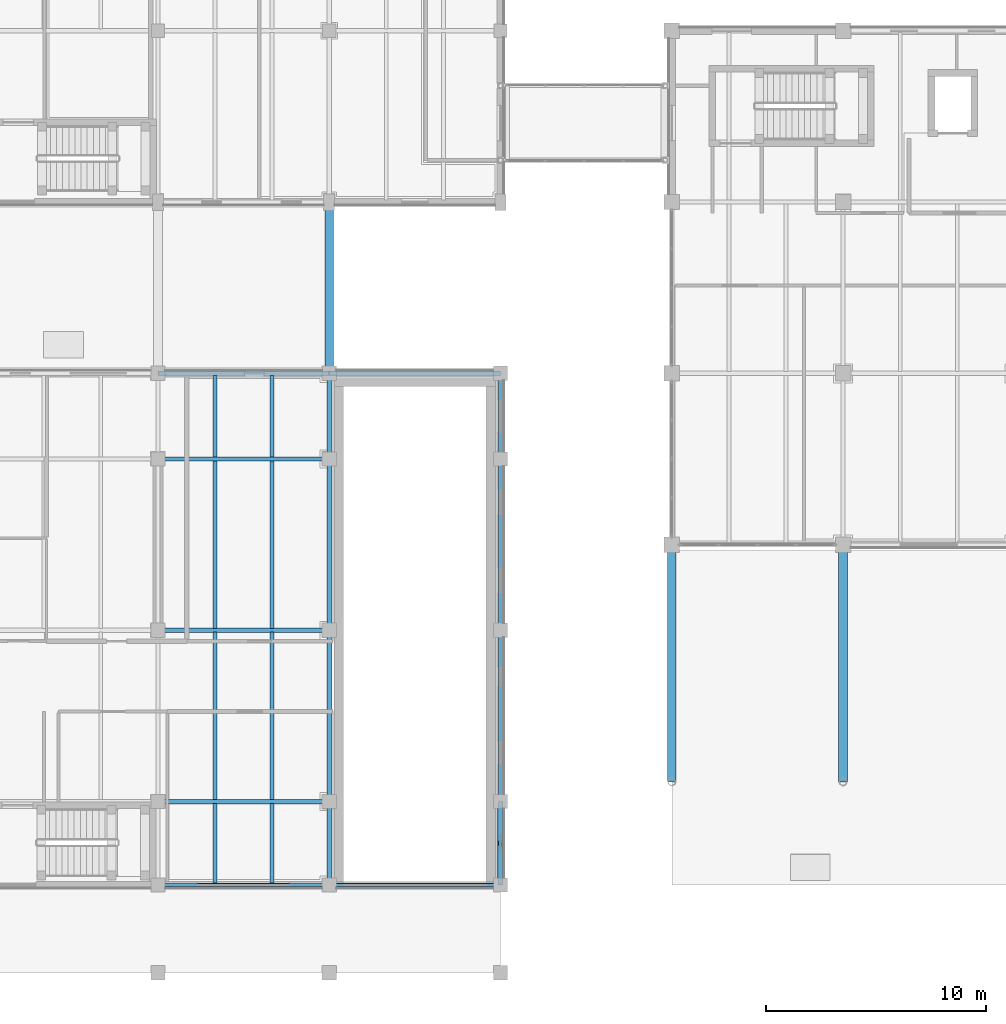
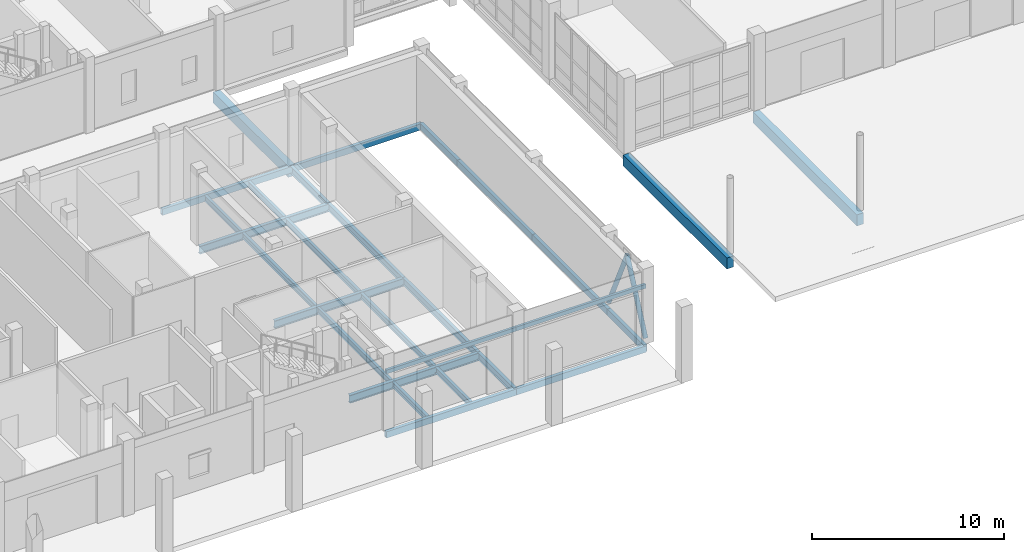
# One storey, part 26 of 131: 28 beams, 2 members.
"""IFC4 building model written with IfcOpenShell, lengths in metres."""

from ifc_helpers import new_model, si_unit, direction, frame, origin, origin_2d, place, context, subcontext, project, spatial, rectangle, hollow_rectangle, hollow_circle, i_section, extrude, material, material_profile, profile_set, type_object, element, save


model = new_model("IFC4")

# Units and contexts
model_context = context("Model", 3, precision=1e-05, world=origin(), true_north=direction((0.0, 1.0)))
body_context = subcontext(model_context, "Body", "Model", "MODEL_VIEW")
ifc_project = project(units=[si_unit("LENGTHUNIT", "METRE"), si_unit("AREAUNIT", "SQUARE_METRE"), si_unit("VOLUMEUNIT", "CUBIC_METRE"), si_unit("PLANEANGLEUNIT", "RADIAN"), si_unit("MASSUNIT", "GRAM", prefix="KILO")], contexts=[model_context])

# Site, building, storey
site_placement = place(None, origin())
site = spatial("IfcSite", under=ifc_project, at=site_placement, CompositionType="ELEMENT")
building_placement = place(site_placement, origin())
building = spatial("IfcBuilding", under=site, at=building_placement, Name="Celorna Specialist Clinic", CompositionType="ELEMENT")
storey_placement = place(building_placement, origin())
storey = spatial("IfcBuildingStorey", under=building, at=storey_placement, Name="L00", CompositionType="ELEMENT", Elevation=0.0)

# Beams
ifc_material_1 = material(Name="Steel S355", Category="steel")
ifc_material_profile_1 = material_profile(ifc_material_1, i_section(OverallWidth=0.199951171875, OverallDepth=0.5, WebThickness=0.01025390625, FlangeThickness=0.01611328125, at=origin_2d()), Name="IPE 500")
ifc_profile_set_1 = profile_set([ifc_material_profile_1], Name="Steel S355")
beam_type_1 = type_object("IfcBeamType", Name="BM-08", PredefinedType="BEAM", material=ifc_profile_set_1)
for number, where, z_axis, x_axis, name in (
    (1, (31.199951171875, 7.800048828125, -0.550048828125), (1.0, 0.0, 0.0), (0.0, 1.0, 0.0), "Primary girder BM-08 #1503"),
    (2, (31.199951171875, 15.60009765625, -0.550048828125), (1.0, 0.0, 0.0), (0.0, 1.0, 0.0), "Primary girder BM-08 #1508"),
    (3, (31.199951171875, 23.39990234375, -0.550048828125), (1.0, 0.0, 0.0), (0.0, 1.0, 0.0), "Primary girder BM-08 #1513"),
):
    element("IfcBeam", number, at=place(storey_placement, frame(where, z_axis=z_axis, x_axis=x_axis)), inside=storey, type_object=beam_type_1, Name=name, PredefinedType="BEAM", context=body_context, shape_type="SweptSolid", body=[
        extrude(i_section(OverallWidth=0.199951171875, OverallDepth=0.5, WebThickness=0.01025390625, FlangeThickness=0.01611328125, at=origin_2d()), origin(), (0.0, 0.0, 1.0), 7.800048828125),
    ])
ifc_material_profile_2 = material_profile(ifc_material_1, i_section(OverallWidth=0.18994140625, OverallDepth=0.449951171875, WebThickness=0.009521484375, FlangeThickness=0.0146484375, at=origin_2d()), Name="IPE 450")
ifc_profile_set_2 = profile_set([ifc_material_profile_2], Name="Steel S355")
beam_type_2 = type_object("IfcBeamType", Name="BM-09", PredefinedType="BEAM", material=ifc_profile_set_2)
beam_1_placement = place(storey_placement, frame((39.0, 4.0, -0.52490234375), z_axis=(0.0, 1.0, 0.0), x_axis=(-1.0, 0.0, 0.0)))
element("IfcBeam", 4, at=beam_1_placement, inside=storey, type_object=beam_type_2, Name="Transverse girder BM-09 #1540", PredefinedType="BEAM", context=body_context, shape_type="SweptSolid", body=[
    extrude(i_section(OverallWidth=0.18994140625, OverallDepth=0.449951171875, WebThickness=0.009521484375, FlangeThickness=0.0146484375, at=origin_2d()), origin(), (0.0, 0.0, 1.0), 3.800048828125),
])
beam_2_placement = place(storey_placement, frame((39.0, 7.800048828125, -0.52490234375), z_axis=(0.0, 1.0, 0.0), x_axis=(-1.0, 0.0, 0.0)))
element("IfcBeam", 5, at=beam_2_placement, inside=storey, type_object=beam_type_2, Name="Transverse girder BM-09 #1541", PredefinedType="BEAM", context=body_context, shape_type="SweptSolid", body=[
    extrude(i_section(OverallWidth=0.18994140625, OverallDepth=0.449951171875, WebThickness=0.009521484375, FlangeThickness=0.0146484375, at=origin_2d()), origin(), (0.0, 0.0, 1.0), 7.800048828125),
])
beam_3_placement = place(storey_placement, frame((39.0, 15.60009765625, -0.52490234375), z_axis=(0.0, 1.0, 0.0), x_axis=(-1.0, 0.0, 0.0)))
element("IfcBeam", 6, at=beam_3_placement, inside=storey, type_object=beam_type_2, Name="Transverse girder BM-09 #1542", PredefinedType="BEAM", context=body_context, shape_type="SweptSolid", body=[
    extrude(i_section(OverallWidth=0.18994140625, OverallDepth=0.449951171875, WebThickness=0.009521484375, FlangeThickness=0.0146484375, at=origin_2d()), origin(), (0.0, 0.0, 1.0), 7.7998046875),
])
beam_4_placement = place(storey_placement, frame((39.0, 23.39990234375, -0.52490234375), z_axis=(0.0, 1.0, 0.0), x_axis=(-1.0, 0.0, 0.0)))
element("IfcBeam", 7, at=beam_4_placement, inside=storey, type_object=beam_type_2, Name="Transverse girder BM-09 #1543", PredefinedType="BEAM", context=body_context, shape_type="SweptSolid", body=[
    extrude(i_section(OverallWidth=0.18994140625, OverallDepth=0.449951171875, WebThickness=0.009521484375, FlangeThickness=0.0146484375, at=origin_2d()), origin(), (0.0, 0.0, 1.0), 3.900146484375),
])
ifc_material_profile_3 = material_profile(ifc_material_1, i_section(OverallWidth=0.169921875, OverallDepth=0.360107421875, WebThickness=0.008056640625, FlangeThickness=0.0126953125, at=origin_2d()), Name="IPE 360")
ifc_profile_set_3 = profile_set([ifc_material_profile_3], Name="Steel S355")
beam_type_3 = type_object("IfcBeamType", Name="BM-11", PredefinedType="JOIST", material=ifc_profile_set_3)
for number, where, z_axis, x_axis, name in (
    (8, (33.800048828125, 4.087890625, -0.47998046875), (0.0, 1.0, 0.0), (-1.0, 0.0, 0.0), "Secondary floor joist BM-11 #1575"),
    (9, (36.39990234375, 4.087890625, -0.47998046875), (0.0, 1.0, 0.0), (-1.0, 0.0, 0.0), "Secondary floor joist BM-11 #1576"),
):
    element("IfcBeam", number, at=place(storey_placement, frame(where, z_axis=z_axis, x_axis=x_axis)), inside=storey, type_object=beam_type_3, Name=name, PredefinedType="JOIST", context=body_context, shape_type="SweptSolid", body=[
        extrude(i_section(OverallWidth=0.169921875, OverallDepth=0.360107421875, WebThickness=0.008056640625, FlangeThickness=0.0126953125, at=origin_2d()), origin(), (0.0, 0.0, 1.0), 3.6240234375),
    ])
for number, where, z_axis, x_axis, name in (
    (10, (33.800048828125, 7.887939453125, -0.47998046875), (0.0, 1.0, 0.0), (-1.0, 0.0, 0.0), "Secondary floor joist BM-11 #1577"),
    (11, (36.39990234375, 7.887939453125, -0.47998046875), (0.0, 1.0, 0.0), (-1.0, 0.0, 0.0), "Secondary floor joist BM-11 #1578"),
    (12, (33.800048828125, 15.68798828125, -0.47998046875), (0.0, 1.0, 0.0), (-1.0, 0.0, 0.0), "Secondary floor joist BM-11 #1579"),
    (13, (36.39990234375, 15.68798828125, -0.47998046875), (0.0, 1.0, 0.0), (-1.0, 0.0, 0.0), "Secondary floor joist BM-11 #1580"),
):
    element("IfcBeam", number, at=place(storey_placement, frame(where, z_axis=z_axis, x_axis=x_axis)), inside=storey, type_object=beam_type_3, Name=name, PredefinedType="JOIST", context=body_context, shape_type="SweptSolid", body=[
        extrude(i_section(OverallWidth=0.169921875, OverallDepth=0.360107421875, WebThickness=0.008056640625, FlangeThickness=0.0126953125, at=origin_2d()), origin(), (0.0, 0.0, 1.0), 7.6240234375),
    ])
for number, where, z_axis, x_axis, name in (
    (14, (33.800048828125, 23.488037109375, -0.47998046875), (0.0, 1.0, 0.0), (-1.0, 0.0, 0.0), "Secondary floor joist BM-11 #1581"),
    (15, (36.39990234375, 23.488037109375, -0.47998046875), (0.0, 1.0, 0.0), (-1.0, 0.0, 0.0), "Secondary floor joist BM-11 #1582"),
):
    element("IfcBeam", number, at=place(storey_placement, frame(where, z_axis=z_axis, x_axis=x_axis)), inside=storey, type_object=beam_type_3, Name=name, PredefinedType="JOIST", context=body_context, shape_type="SweptSolid", body=[
        extrude(i_section(OverallWidth=0.169921875, OverallDepth=0.360107421875, WebThickness=0.008056640625, FlangeThickness=0.0126953125, at=origin_2d()), origin(), (0.0, 0.0, 1.0), 3.723876953125),
    ])
ifc_material_profile_4 = material_profile(ifc_material_1, hollow_rectangle(XDim=0.199951171875, YDim=0.39990234375, WallThickness=0.011962890625, at=origin_2d()), Name="RHS 200x400x12")
ifc_profile_set_4 = profile_set([ifc_material_profile_4], Name="Steel S355")
beam_type_4 = type_object("IfcBeamType", Name="BM-15", PredefinedType="SPANDREL", material=ifc_profile_set_4)
for number, where, z_axis, x_axis, name in (
    (16, (31.199951171875, 4.0, -0.5), (1.0, 0.0, 0.0), (0.0, 1.0, 0.0), "Spandrel beam BM-15 #1497"),
    (17, (39.0, 4.0, -0.5), (1.0, 0.0, 0.0), (0.0, 1.0, 0.0), "Spandrel beam BM-15 #1498"),
    (18, (31.199951171875, 27.300048828125, -0.5), (1.0, 0.0, 0.0), (0.0, 1.0, 0.0), "Spandrel beam BM-15 #1518"),
    (19, (39.0, 27.300048828125, -0.5), (1.0, 0.0, 0.0), (0.0, 1.0, 0.0), "Spandrel beam BM-15 #1519"),
):
    element("IfcBeam", number, at=place(storey_placement, frame(where, z_axis=z_axis, x_axis=x_axis)), inside=storey, type_object=beam_type_4, Name=name, PredefinedType="SPANDREL", context=body_context, shape_type="SweptSolid", body=[
        extrude(hollow_rectangle(XDim=0.199951171875, YDim=0.39990234375, WallThickness=0.011962890625, at=origin_2d()), origin(), (0.0, 0.0, 1.0), 7.800048828125),
    ])
beam_5_placement = place(storey_placement, frame((46.800048828125, 4.0, -0.5), z_axis=(0.0, 1.0, 0.0), x_axis=(-1.0, 0.0, 0.0)))
element("IfcBeam", 20, at=beam_5_placement, inside=storey, type_object=beam_type_4, Name="Spandrel beam BM-15 #1544", PredefinedType="SPANDREL", context=body_context, shape_type="SweptSolid", body=[
    extrude(hollow_rectangle(XDim=0.199951171875, YDim=0.39990234375, WallThickness=0.011962890625, at=origin_2d()), origin(), (0.0, 0.0, 1.0), 3.800048828125),
])
beam_6_placement = place(storey_placement, frame((46.800048828125, 7.800048828125, -0.5), z_axis=(0.0, 1.0, 0.0), x_axis=(-1.0, 0.0, 0.0)))
element("IfcBeam", 21, at=beam_6_placement, inside=storey, type_object=beam_type_4, Name="Spandrel beam BM-15 #1545", PredefinedType="SPANDREL", context=body_context, shape_type="SweptSolid", body=[
    extrude(hollow_rectangle(XDim=0.199951171875, YDim=0.39990234375, WallThickness=0.011962890625, at=origin_2d()), origin(), (0.0, 0.0, 1.0), 7.800048828125),
])
beam_7_placement = place(storey_placement, frame((46.800048828125, 15.60009765625, -0.5), z_axis=(0.0, 1.0, 0.0), x_axis=(-1.0, 0.0, 0.0)))
element("IfcBeam", 22, at=beam_7_placement, inside=storey, type_object=beam_type_4, Name="Spandrel beam BM-15 #1546", PredefinedType="SPANDREL", context=body_context, shape_type="SweptSolid", body=[
    extrude(hollow_rectangle(XDim=0.199951171875, YDim=0.39990234375, WallThickness=0.011962890625, at=origin_2d()), origin(), (0.0, 0.0, 1.0), 7.7998046875),
])
beam_8_placement = place(storey_placement, frame((46.800048828125, 23.39990234375, -0.5), z_axis=(0.0, 1.0, 0.0), x_axis=(-1.0, 0.0, 0.0)))
element("IfcBeam", 23, at=beam_8_placement, inside=storey, type_object=beam_type_4, Name="Spandrel beam BM-15 #1547", PredefinedType="SPANDREL", context=body_context, shape_type="SweptSolid", body=[
    extrude(hollow_rectangle(XDim=0.199951171875, YDim=0.39990234375, WallThickness=0.011962890625, at=origin_2d()), origin(), (0.0, 0.0, 1.0), 3.900146484375),
])
ifc_material_profile_5 = material_profile(ifc_material_1, hollow_rectangle(XDim=0.14990234375, YDim=0.25, WallThickness=0.010009765625, at=origin_2d()), Name="RHS 150x250x10")
ifc_profile_set_5 = profile_set([ifc_material_profile_5], Name="Steel S355")
beam_type_5 = type_object("IfcBeamType", Name="BM-17", PredefinedType="LINTEL", material=ifc_profile_set_5)
for number, where, z_axis, x_axis, name in (
    (24, (39.0, 4.0, 3.47509765625), (1.0, 0.0, 0.0), (0.0, 1.0, 0.0), "Structural opening lintel BM-17 #1"),
    (25, (31.199951171875, 4.0, 3.47509765625), (1.0, 0.0, 0.0), (0.0, 1.0, 0.0), "Structural opening lintel BM-17 #3"),
):
    element("IfcBeam", number, at=place(storey_placement, frame(where, z_axis=z_axis, x_axis=x_axis)), inside=storey, type_object=beam_type_5, Name=name, PredefinedType="LINTEL", context=body_context, shape_type="SweptSolid", body=[
        extrude(hollow_rectangle(XDim=0.14990234375, YDim=0.25, WallThickness=0.010009765625, at=origin_2d()), origin(), (0.0, 0.0, 1.0), 7.800048828125),
    ])
ifc_material_2 = material(Name="Concrete C35/45", Category="concrete")
ifc_material_profile_6 = material_profile(ifc_material_2, rectangle(XDim=0.39990234375, YDim=0.699951171875, at=origin_2d()), Name="RC 400x700")
ifc_profile_set_6 = profile_set([ifc_material_profile_6], Name="Concrete C35/45")
beam_type_6 = type_object("IfcBeamType", Name="BM-19", PredefinedType="BEAM", material=ifc_profile_set_6)
beam_9_placement = place(storey_placement, frame((39.0, 27.300048828125, -0.64990234375), z_axis=(0.0, 1.0, 0.0), x_axis=(-1.0, 0.0, 0.0)))
element("IfcBeam", 26, at=beam_9_placement, inside=storey, type_object=beam_type_6, Name="Courtyard plaza RC beam BM-19 #2413", PredefinedType="BEAM", context=body_context, shape_type="SweptSolid", body=[
    extrude(rectangle(XDim=0.39990234375, YDim=0.699951171875, at=origin_2d()), origin(), (0.0, 0.0, 1.0), 7.800048828125),
])
for number, where, z_axis, x_axis, name in (
    (27, (54.60009765625, 8.699951171875, -0.64990234375), (0.0, 1.0, 0.0), (-1.0, 0.0, 0.0), "Forecourt plaza RC beam BM-19 #2414"),
    (28, (62.39990234375, 8.699951171875, -0.64990234375), (0.0, 1.0, 0.0), (-1.0, 0.0, 0.0), "Forecourt plaza RC beam BM-19 #2415"),
):
    element("IfcBeam", number, at=place(storey_placement, frame(where, z_axis=z_axis, x_axis=x_axis)), inside=storey, type_object=beam_type_6, Name=name, PredefinedType="BEAM", context=body_context, shape_type="SweptSolid", body=[
        extrude(rectangle(XDim=0.39990234375, YDim=0.699951171875, at=origin_2d()), origin(), (0.0, 0.0, 1.0), 10.800048828125),
    ])

# Members
ifc_material_profile_7 = material_profile(ifc_material_1, hollow_circle(Radius=0.136474609375, WallThickness=0.012451171875, at=origin_2d()), Name="CHS 273x12.5")
ifc_profile_set_7 = profile_set([ifc_material_profile_7], Name="Steel S355")
member_type = type_object("IfcMemberType", Name="MB-06", PredefinedType="BRACE", material=ifc_profile_set_7)
member_1_placement = place(storey_placement, frame((46.800048828125, 4.0, 0.14990234375), z_axis=(0.0, 0.420434978247, 0.907322670866), x_axis=(-1.0, 0.0, 0.0)))
element("IfcMember", 29, at=member_1_placement, inside=storey, type_object=member_type, Name="Lateral chevron brace WP-098-WP-099", PredefinedType="BRACE", context=body_context, shape_type="SweptSolid", body=[
    extrude(hollow_circle(Radius=0.136474609375, WallThickness=0.012451171875, at=origin_2d()), origin(), (0.0, 0.0, 1.0), 4.518798828125),
])
member_2_placement = place(storey_placement, frame((46.800048828125, 7.800048828125, 0.14990234375), z_axis=(0.0, -0.420479453286, 0.907302060708), x_axis=(1.0, 0.0, 0.0)))
element("IfcMember", 30, at=member_2_placement, inside=storey, type_object=member_type, Name="Lateral chevron brace WP-100-WP-099", PredefinedType="BRACE", context=body_context, shape_type="SweptSolid", body=[
    extrude(hollow_circle(Radius=0.136474609375, WallThickness=0.012451171875, at=origin_2d()), origin(), (0.0, 0.0, 1.0), 4.51904296875),
])

save(model, "model.ifc")
